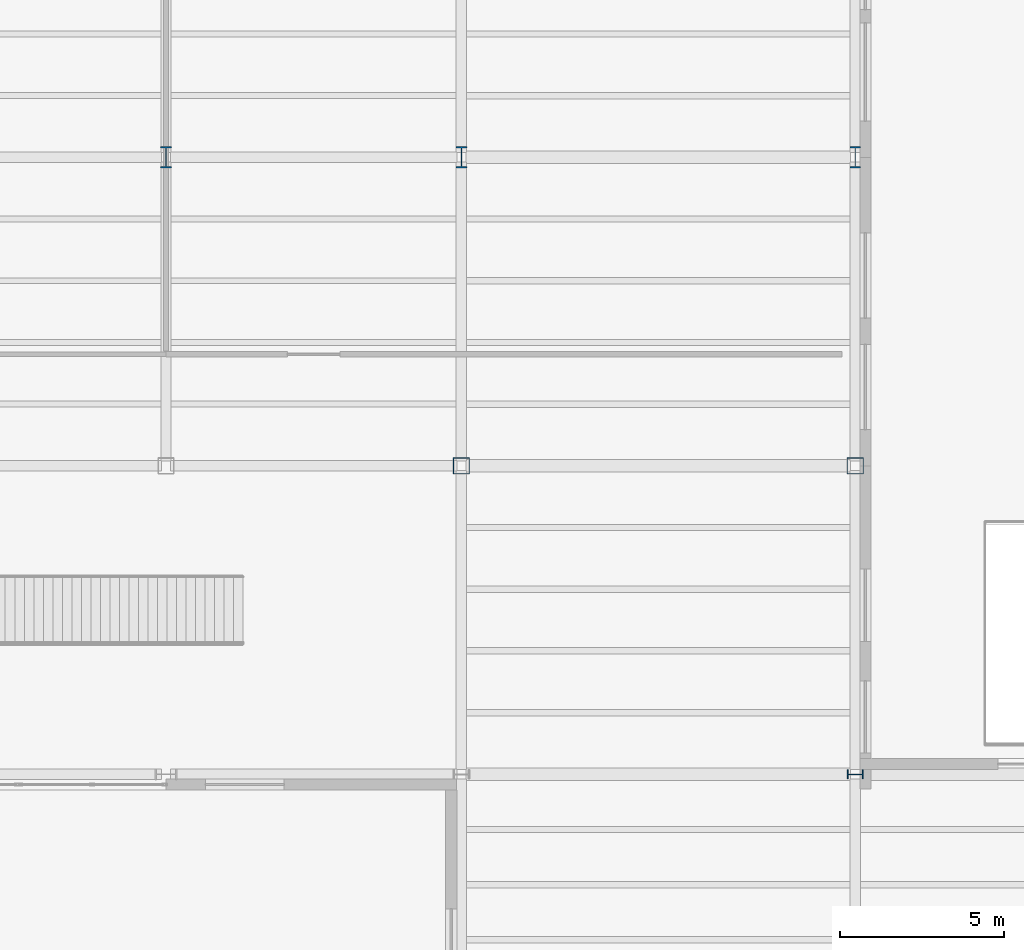
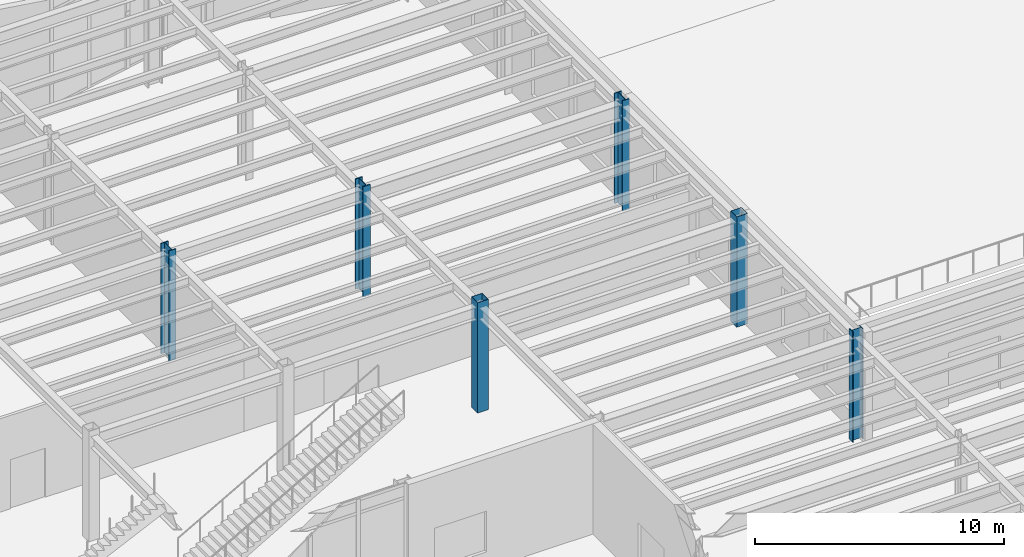
# One storey, part 12 of 94: 6 columns.
"""IFC4 building model written with IfcOpenShell, lengths in metres."""

from ifc_helpers import new_model, si_unit, direction, frame, origin, origin_2d, place, context, subcontext, project, spatial, hollow_rectangle, i_section, extrude, material, material_profile, profile_set, type_object, element, save


model = new_model("IFC4")

# Units and contexts
model_context = context("Model", 3, precision=1e-05, world=origin(), true_north=direction((0.0, 1.0)))
body_context = subcontext(model_context, "Body", "Model", "MODEL_VIEW")
ifc_project = project(units=[si_unit("LENGTHUNIT", "METRE"), si_unit("AREAUNIT", "SQUARE_METRE"), si_unit("VOLUMEUNIT", "CUBIC_METRE"), si_unit("PLANEANGLEUNIT", "RADIAN"), si_unit("MASSUNIT", "GRAM", prefix="KILO")], contexts=[model_context])

# Site, building, storey
site_placement = place(None, origin())
site = spatial("IfcSite", under=ifc_project, at=site_placement, CompositionType="ELEMENT")
building_placement = place(site_placement, origin())
building = spatial("IfcBuilding", under=site, at=building_placement, Name="Sollismere Congress Hotel", CompositionType="ELEMENT")
storey_placement = place(building_placement, origin())
storey = spatial("IfcBuildingStorey", under=building, at=storey_placement, Name="L00", CompositionType="ELEMENT", Elevation=0.0)

# Columns
ifc_material_1 = material(Name="Steel ASTM A500 Grade C", Category="steel")
ifc_material_profile_1 = material_profile(ifc_material_1, hollow_rectangle(XDim=0.5, YDim=0.5, WallThickness=0.02001953125, at=origin_2d()), Name="HSS500X500X20")
ifc_profile_set_1 = profile_set([ifc_material_profile_1], Name="Steel ASTM A500 Grade C")
column_type_1 = type_object("IfcColumnType", Name="COL-HSS500I", PredefinedType="COLUMN", material=ifc_profile_set_1)
for number, where, z_axis, x_axis, name in (
    (1, (112.0, 76.199951171875, 0.0), (0.0, 0.0, 1.0), (1.0, 0.0, 0.0), "Column CL-L00-626"),
    (2, (124.0, 76.199951171875, 0.0), (0.0, 0.0, 1.0), (1.0, 0.0, 0.0), "Column CL-L00-708"),
):
    element("IfcColumn", number, at=place(storey_placement, frame(where, z_axis=z_axis, x_axis=x_axis)), inside=storey, type_object=column_type_1, Name=name, PredefinedType="COLUMN", context=body_context, shape_type="SweptSolid", body=[
        extrude(hollow_rectangle(XDim=0.5, YDim=0.5, WallThickness=0.02001953125, at=origin_2d()), origin(), (0.0, 0.0, 1.0), 5.39990234375),
    ])
ifc_material_2 = material(Name="Steel ASTM A992 Grade 50", Category="steel")
ifc_material_profile_2 = material_profile(ifc_material_2, i_section(OverallWidth=0.283935546875, OverallDepth=0.4951171875, WebThickness=0.0185546875, FlangeThickness=0.033447265625, at=origin_2d()), Name="W18X143")
ifc_profile_set_2 = profile_set([ifc_material_profile_2], Name="Steel ASTM A992 Grade 50")
column_type_2 = type_object("IfcColumnType", Name="COL-W18", PredefinedType="COLUMN", material=ifc_profile_set_2)
column_placement = place(storey_placement, frame((124.0, 66.800048828125, 0.0), z_axis=(0.0, 0.0, 1.0), x_axis=(0.0, 1.0, 0.0)))
element("IfcColumn", 3, at=column_placement, inside=storey, type_object=column_type_2, Name="Column CL-L00-705", PredefinedType="COLUMN", context=body_context, shape_type="SweptSolid", body=[
    extrude(i_section(OverallWidth=0.283935546875, OverallDepth=0.4951171875, WebThickness=0.0185546875, FlangeThickness=0.033447265625, at=origin_2d()), origin(), (0.0, 0.0, 1.0), 5.39990234375),
])
ifc_material_profile_3 = material_profile(ifc_material_2, i_section(OverallWidth=0.3330078125, OverallDepth=0.659912109375, WebThickness=0.0244140625, FlangeThickness=0.0439453125, at=origin_2d()), Name="W24X229")
ifc_profile_set_3 = profile_set([ifc_material_profile_3], Name="Steel ASTM A992 Grade 50")
column_type_3 = type_object("IfcColumnType", Name="COL-W24", PredefinedType="COLUMN", material=ifc_profile_set_3)
for number, where, z_axis, x_axis, name in (
    (4, (103.0, 85.60009765625, 0.0), (0.0, 0.0, 1.0), (1.0, 0.0, 0.0), "Column CL-L00-554"),
    (5, (112.0, 85.60009765625, 0.0), (0.0, 0.0, 1.0), (1.0, 0.0, 0.0), "Column CL-L00-632"),
    (6, (124.0, 85.60009765625, 0.0), (0.0, 0.0, 1.0), (1.0, 0.0, 0.0), "Column CL-L00-714"),
):
    element("IfcColumn", number, at=place(storey_placement, frame(where, z_axis=z_axis, x_axis=x_axis)), inside=storey, type_object=column_type_3, Name=name, PredefinedType="COLUMN", context=body_context, shape_type="SweptSolid", body=[
        extrude(i_section(OverallWidth=0.3330078125, OverallDepth=0.659912109375, WebThickness=0.0244140625, FlangeThickness=0.0439453125, at=origin_2d()), origin(), (0.0, 0.0, 1.0), 5.39990234375),
    ])

save(model, "model.ifc")
